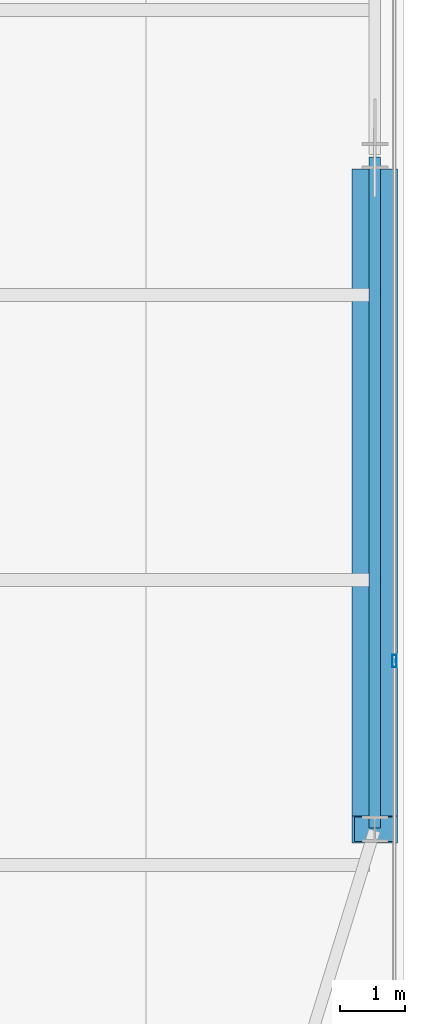
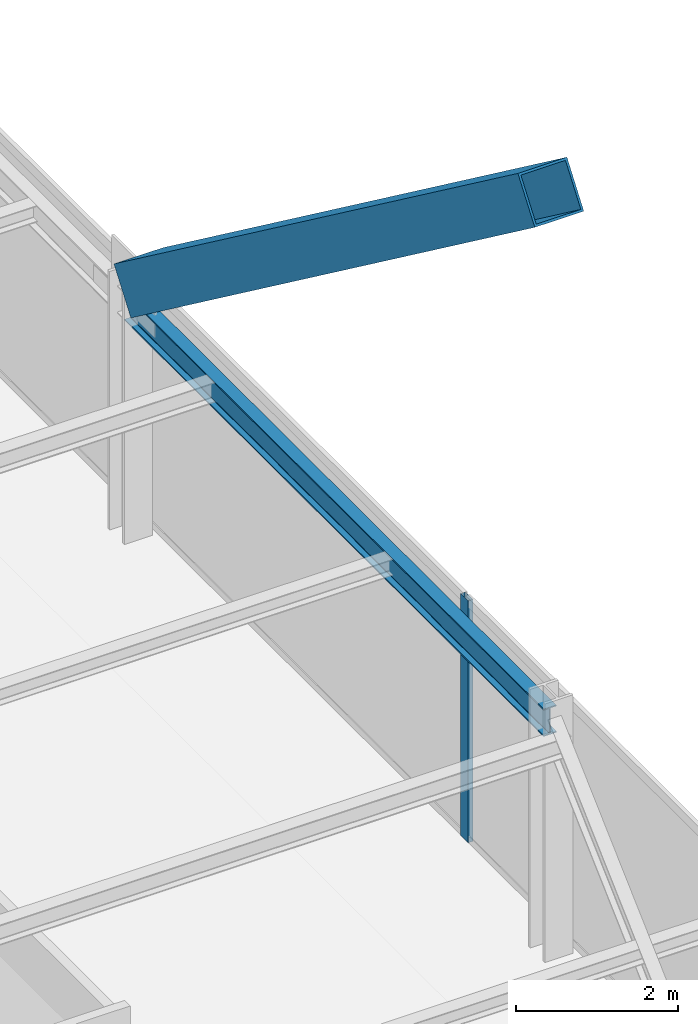
# One storey, part 16 of 34: 2 members, 1 beam, 1 element without a shape of its own.
"""IFC4 building model written with IfcOpenShell, lengths in metres."""

from ifc_helpers import new_model, si_unit, direction, frame, origin, origin_2d, place, context, subcontext, project, spatial, hollow_rectangle, i_section, extrude, source, transform, mapped, material, layer, layer_set, material_profile, profile_set, type_object, type_shapes, element, aggregate, save


model = new_model("IFC4")

# Units and contexts
model_context = context("Model", 3, precision=1e-05, world=origin(), true_north=direction((0.0, 1.0)))
body_context = subcontext(model_context, "Body", "Model", "MODEL_VIEW")
ifc_project = project(units=[si_unit("LENGTHUNIT", "METRE"), si_unit("AREAUNIT", "SQUARE_METRE"), si_unit("VOLUMEUNIT", "CUBIC_METRE"), si_unit("PLANEANGLEUNIT", "RADIAN"), si_unit("MASSUNIT", "GRAM", prefix="KILO")], contexts=[model_context])

# Site, building, storey
site_placement = place(None, origin())
site = spatial("IfcSite", under=ifc_project, at=site_placement, CompositionType="ELEMENT")
building_placement = place(site_placement, origin())
building = spatial("IfcBuilding", under=site, at=building_placement, Name="Varnel Quay Broadcast Tower", CompositionType="ELEMENT")
storey_placement = place(building_placement, frame((0.0, 0.0, 47.10009765625)))
storey = spatial("IfcBuildingStorey", under=building, at=storey_placement, Name="L10", CompositionType="ELEMENT", Elevation=47.10009765625)

# Beam
ifc_material_1 = material(Name="Structural Steel CSA G40.21 350W", Category="steel")
ifc_material_profile_1 = material_profile(ifc_material_1, i_section(OverallWidth=0.180908203125, OverallDepth=0.4169921875, WebThickness=0.010986328125, FlangeThickness=0.018310546875, FilletRadius=0.011962890625, at=origin_2d()), Name="W410X85")
ifc_profile_set_1 = profile_set([ifc_material_profile_1], Name="Structural Steel CSA G40.21 350W")
beam_type = type_object("IfcBeamType", Name="Beam_W410X85", PredefinedType="SPANDREL", material=ifc_profile_set_1)
shared_shape_1 = source(origin(), body_context, "Body", "SweptSolid", [
    extrude(i_section(OverallWidth=0.180908203125, OverallDepth=0.4169921875, WebThickness=0.010986328125, FlangeThickness=0.018310546875, FilletRadius=0.011962890625, at=origin_2d()), origin(), (0.0, 0.0, 1.0), 10.35986328125),
])
type_shapes(beam_type, [shared_shape_1])
beam_placement = place(storey_placement, frame((65.550048828125, 15.02001953125, 3.44140625), z_axis=(0.0, 1.0, 0.0), x_axis=(-1.0, 0.0, 0.0)))
element("IfcBeam", 1, at=beam_placement, inside=storey, type_object=beam_type, Name="L10 East Spandrel TC-E1-TC-E2", PredefinedType="SPANDREL", context=body_context, shape_type="MappedRepresentation", body=[
    mapped(shared_shape_1, transform((0.0, 0.0, 0.0), x_axis=(1.0, 0.0, 0.0), y_axis=(0.0, 1.0, 0.0), z_axis=(0.0, 0.0, 1.0), scale=1.0)),
])

# Member
ifc_material_2 = material(Name="Structural Steel CSA G40.21 350WT", Category="steel")
ifc_material_profile_2 = material_profile(ifc_material_2, hollow_rectangle(XDim=0.699951171875, YDim=0.699951171875, WallThickness=0.031982421875, at=origin_2d()), Name="BOX700X700X32")
ifc_profile_set_2 = profile_set([ifc_material_profile_2], Name="Structural Steel CSA G40.21 350WT")
member_type_1 = type_object("IfcMemberType", Name="Brace_BOX700X700X32", PredefinedType="BRACE", material=ifc_profile_set_2)
shared_shape_2 = source(origin(), body_context, "Body", "SweptSolid", [
    extrude(hollow_rectangle(XDim=0.699951171875, YDim=0.699951171875, WallThickness=0.031982421875, at=origin_2d()), origin(), (0.0, 0.0, 1.0), 12.442626953125),
])
type_shapes(member_type_1, [shared_shape_2])
member_1_placement = place(storey_placement, frame((65.550048828125, 24.986572265625, 4.0078125), z_axis=(0.0, -0.802608305206, 0.596506419425), x_axis=(1.0, 0.0, 0.0)))
element("IfcMember", 2, at=member_1_placement, inside=storey, type_object=member_type_1, Name="Zone 1 Mega-Brace E-FT2 Split Diag B2", PredefinedType="BRACE", context=body_context, shape_type="MappedRepresentation", body=[
    mapped(shared_shape_2, transform((0.0, 0.0, 0.0), x_axis=(1.0, 0.0, 0.0), y_axis=(0.0, 1.0, 0.0), z_axis=(0.0, 0.0, 1.0), scale=1.0)),
])

# Curtain wall, member
ifc_material_3 = material(Name="Anodised Bronze Aluminium 6063-T6", Category="aluminium")
ifc_layer = layer(ifc_material_3, 0.18994140625, Name="Anodised Bronze Aluminium 6063-T6")
ifc_layer_set = layer_set([ifc_layer], Name="Anodised Bronze Aluminium 6063-T6")
curtain_wall_type = type_object("IfcCurtainWallType", Name="CW_LowerTower", PredefinedType="NOTDEFINED", material=ifc_layer_set)
curtain_wall_placement = place(storey_placement, origin())
curtain_wall = element("IfcCurtainWall", 3, at=curtain_wall_placement, inside=storey, type_object=curtain_wall_type, Name="L10 East Unitised Curtain Wall", PredefinedType="NOTDEFINED")
ifc_material_profile_3 = material_profile(ifc_material_3, hollow_rectangle(XDim=0.070068359375, YDim=0.18994140625, WallThickness=0.00390625, at=origin_2d()), Name="ALU70X190X4")
ifc_profile_set_3 = profile_set([ifc_material_profile_3], Name="Anodised Bronze Aluminium 6063-T6")
member_type_2 = type_object("IfcMemberType", Name="Mull_CWS-02", PredefinedType="MULLION", material=ifc_profile_set_3)
shared_shape_3 = source(origin(), body_context, "Body", "SweptSolid", [
    extrude(hollow_rectangle(XDim=0.070068359375, YDim=0.18994140625, WallThickness=0.00390625, at=origin_2d()), origin(), (0.0, 0.0, 1.0), 3.64990234375),
])
type_shapes(member_type_2, [shared_shape_3])
member_2_placement = place(storey_placement, frame((65.85009765625, 17.60009765625, 0.0), z_axis=(0.0, 0.0, 1.0), x_axis=(-1.0, 0.0, 0.0)))
member_2 = element("IfcMember", 4, at=member_2_placement, type_object=member_type_2, Name="CWS-02 mullion 2", PredefinedType="MULLION", context=body_context, shape_type="MappedRepresentation", body=[
    mapped(shared_shape_3, transform((0.0, 0.0, 0.0), x_axis=(1.0, 0.0, 0.0), y_axis=(0.0, 1.0, 0.0), z_axis=(0.0, 0.0, 1.0), scale=1.0)),
])
aggregate(curtain_wall, [member_2])

save(model, "model.ifc")
